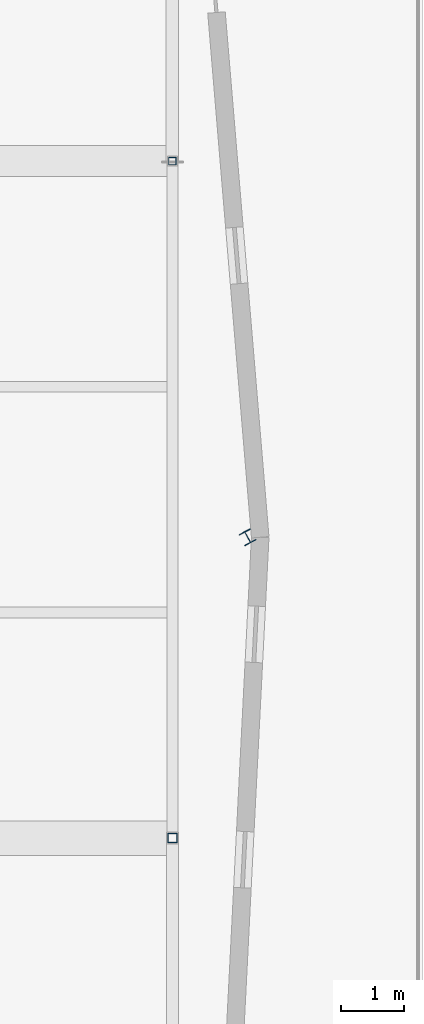
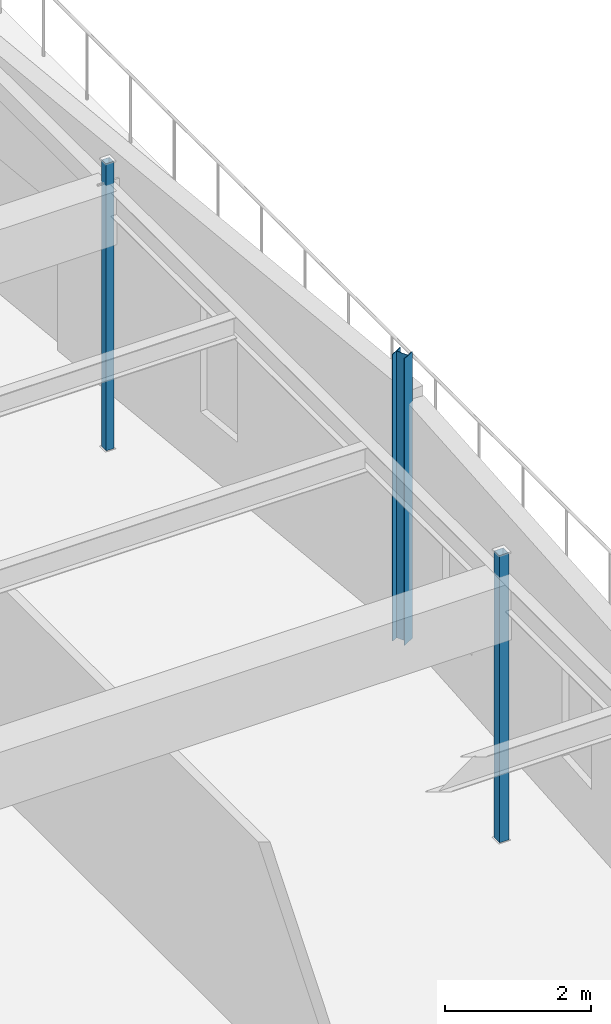
# One storey, part 60 of 199: 3 columns.
"""IFC4 building model written with IfcOpenShell, lengths in metres."""

from ifc_helpers import new_model, si_unit, direction, frame, origin, origin_2d, place, context, subcontext, project, spatial, hollow_rectangle, i_section, extrude, material, material_profile, profile_set, type_object, element, save


model = new_model("IFC4")

# Units and contexts
model_context = context("Model", 3, precision=1e-05, world=origin(), true_north=direction((0.0, 1.0)))
body_context = subcontext(model_context, "Body", "Model", "MODEL_VIEW")
ifc_project = project(units=[si_unit("LENGTHUNIT", "METRE"), si_unit("AREAUNIT", "SQUARE_METRE"), si_unit("VOLUMEUNIT", "CUBIC_METRE"), si_unit("PLANEANGLEUNIT", "RADIAN"), si_unit("MASSUNIT", "GRAM", prefix="KILO")], contexts=[model_context])

# Site, building, storey
site_placement = place(None, origin())
site = spatial("IfcSite", under=ifc_project, at=site_placement, CompositionType="ELEMENT")
building_placement = place(site_placement, origin())
building = spatial("IfcBuilding", under=site, at=building_placement, Name="Tarnwether General Hospital", CompositionType="ELEMENT")
storey_placement = place(building_placement, origin())
storey = spatial("IfcBuildingStorey", under=building, at=storey_placement, Name="L00", CompositionType="ELEMENT", Elevation=0.0)

# Columns
ifc_material_1 = material(Name="Steel Grade 350 (350 MPa)", Category="steel")
ifc_material_profile_1 = material_profile(ifc_material_1, i_section(OverallWidth=0.202880859375, OverallDepth=0.202880859375, WebThickness=0.00732421875, FlangeThickness=0.010986328125, at=origin_2d()), Name="200UC46.2")
ifc_profile_set_1 = profile_set([ifc_material_profile_1], Name="Steel Grade 350 (350 MPa)")
column_type_1 = type_object("IfcColumnType", Name="COL-27", PredefinedType="COLUMN", material=ifc_profile_set_1)
column_1_placement = place(storey_placement, frame((193.199951171875, 109.199951171875, 0.0), z_axis=(0.0, 0.0, 1.0), x_axis=(0.882947592859, 0.469471562786, 0.0)))
element("IfcColumn", 1, at=column_1_placement, inside=storey, type_object=column_type_1, Name="Column COLG-L00-19320_10920", PredefinedType="COLUMN", context=body_context, shape_type="SweptSolid", body=[
    extrude(i_section(OverallWidth=0.202880859375, OverallDepth=0.202880859375, WebThickness=0.00732421875, FlangeThickness=0.010986328125, at=origin_2d()), origin(), (0.0, 0.0, 1.0), 4.800048828125),
])
ifc_material_2 = material(Name="Steel Grade C350L0 (350 MPa)", Category="steel")
ifc_material_profile_2 = material_profile(ifc_material_2, hollow_rectangle(XDim=0.14990234375, YDim=0.14990234375, WallThickness=0.008056640625, at=origin_2d()), Name="SHS150x150x8")
ifc_profile_set_2 = profile_set([ifc_material_profile_2], Name="Steel Grade C350L0 (350 MPa)")
column_type_2 = type_object("IfcColumnType", Name="COL-33", PredefinedType="COLUMN", material=ifc_profile_set_2)
column_2_placement = place(storey_placement, frame((192.0, 104.39990234375, 0.0), z_axis=(0.0, 0.0, 1.0), x_axis=(1.0, 0.0, 0.0)))
element("IfcColumn", 2, at=column_2_placement, inside=storey, type_object=column_type_2, Name="Column COLG-L00-19200_10440", PredefinedType="COLUMN", context=body_context, shape_type="SweptSolid", body=[
    extrude(hollow_rectangle(XDim=0.14990234375, YDim=0.14990234375, WallThickness=0.008056640625, at=origin_2d()), origin(), (0.0, 0.0, 1.0), 4.800048828125),
])
ifc_material_3 = material(Name="Steel Grade C350L0 (350 MPa)", Category="steel")
ifc_material_profile_3 = material_profile(ifc_material_3, hollow_rectangle(XDim=0.125, YDim=0.125, WallThickness=0.006103515625, at=origin_2d()), Name="SHS125x125x6")
ifc_profile_set_3 = profile_set([ifc_material_profile_3], Name="Steel Grade C350L0 (350 MPa)")
column_type_3 = type_object("IfcColumnType", Name="COL-34", PredefinedType="COLUMN", material=ifc_profile_set_3)
column_3_placement = place(storey_placement, frame((192.0, 115.199951171875, 0.0), z_axis=(0.0, 0.0, 1.0), x_axis=(1.0, 0.0, 0.0)))
element("IfcColumn", 3, at=column_3_placement, inside=storey, type_object=column_type_3, Name="Column COLG-L00-19200_11520", PredefinedType="COLUMN", context=body_context, shape_type="SweptSolid", body=[
    extrude(hollow_rectangle(XDim=0.125, YDim=0.125, WallThickness=0.006103515625, at=origin_2d()), origin(), (0.0, 0.0, 1.0), 4.800048828125),
])

save(model, "model.ifc")
